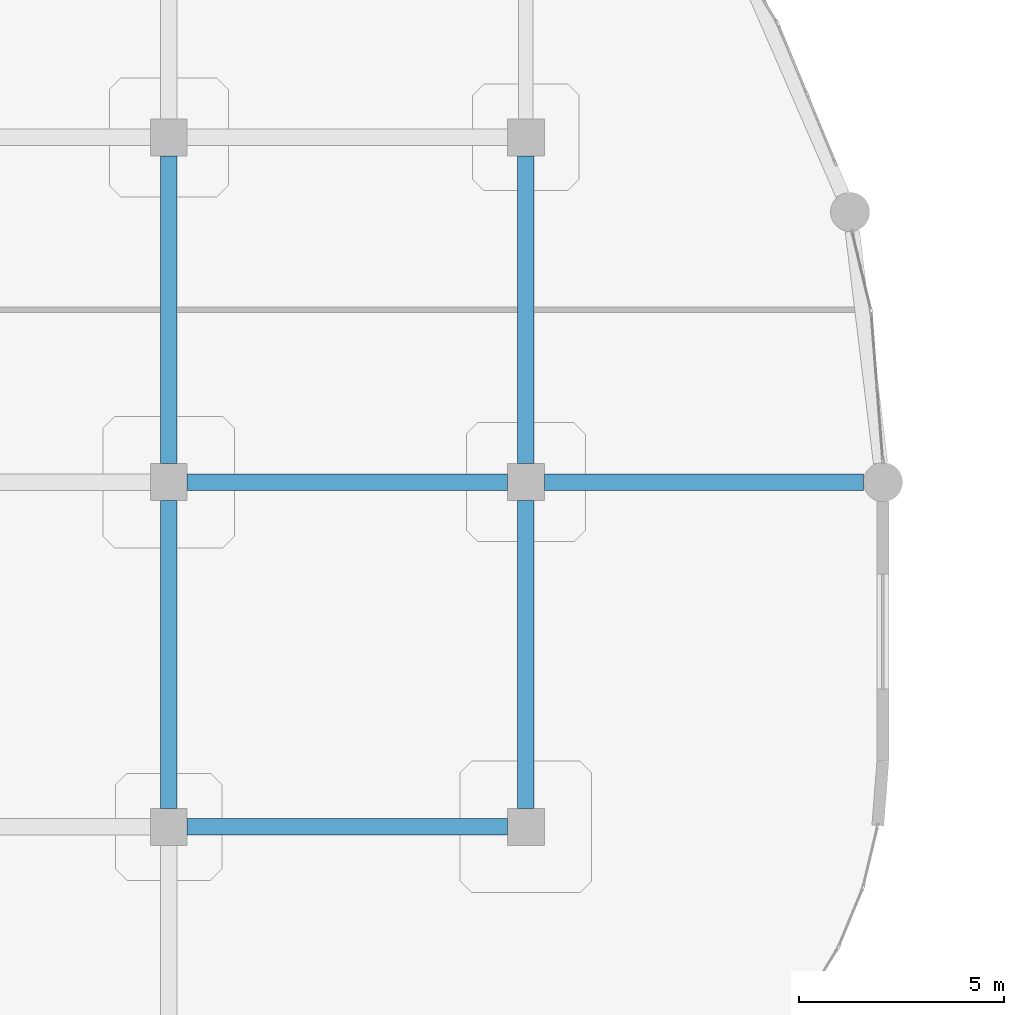
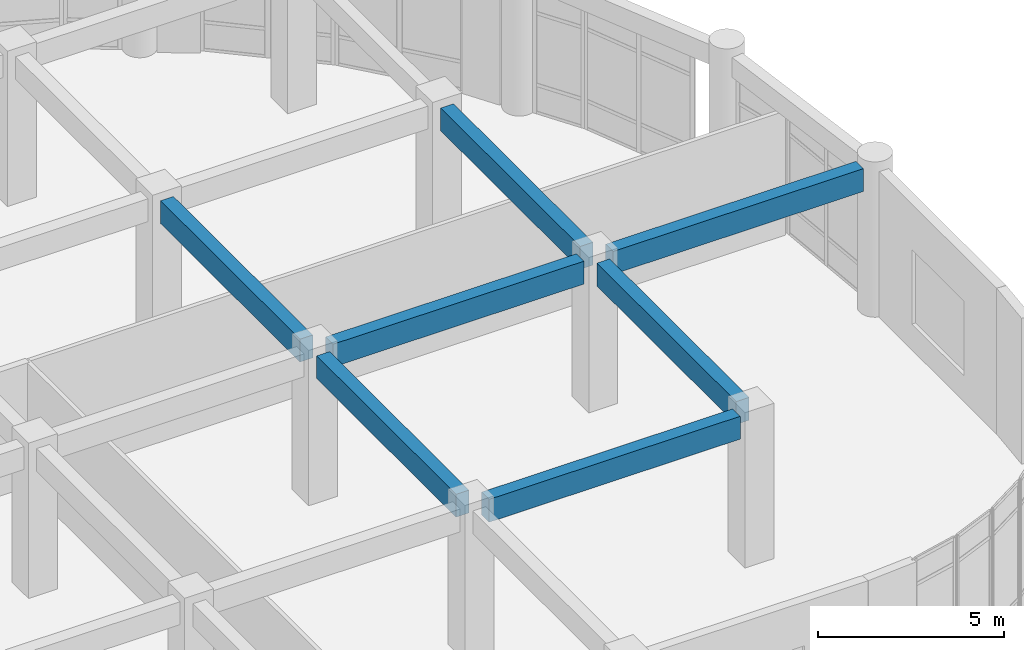
# One storey, part 78 of 120: 7 beams.
"""IFC4 building model written with IfcOpenShell, lengths in metres."""

from ifc_helpers import new_model, si_unit, derived_unit, direction, frame, origin, origin_2d, place, context, subcontext, project, spatial, rectangle, extrude, material, material_profile, profile_set, type_object, element, save


model = new_model("IFC4")

# Units and contexts
model_context = context("Model", 3, precision=1e-05, world=origin(), true_north=direction((0.0, 1.0)))
body_context = subcontext(model_context, "Body", "Model", "MODEL_VIEW")
ifc_project = project(units=[si_unit("LENGTHUNIT", "METRE"), si_unit("AREAUNIT", "SQUARE_METRE"), si_unit("VOLUMEUNIT", "CUBIC_METRE"), si_unit("PLANEANGLEUNIT", "RADIAN"), si_unit("MASSUNIT", "GRAM", prefix="KILO"), derived_unit("THERMALTRANSMITTANCEUNIT", [(si_unit("MASSUNIT", "GRAM", prefix="KILO"), 1), (si_unit("TIMEUNIT", "SECOND"), -3), (si_unit("THERMODYNAMICTEMPERATUREUNIT", "KELVIN"), -1)])], contexts=[model_context])

# Site, building, storey
site_placement = place(None, origin())
site = spatial("IfcSite", under=ifc_project, at=site_placement, CompositionType="ELEMENT")
building_placement = place(site_placement, origin())
building = spatial("IfcBuilding", under=site, at=building_placement, Name="Qinzheling Arcade Emporium", CompositionType="ELEMENT")
storey_placement = place(building_placement, frame((0.0, 0.0, 11.39990234375)))
storey = spatial("IfcBuildingStorey", under=building, at=storey_placement, Name="L03", CompositionType="ELEMENT", Elevation=11.39990234375)

# Beams
ifc_material = material(Name="Concrete C40", Category="concrete")
ifc_material_profile = material_profile(ifc_material, rectangle(XDim=0.39990234375, YDim=0.75, at=origin_2d()), Name="RC 400x750", Category="concrete")
ifc_profile_set = profile_set([ifc_material_profile], Name="Concrete C40")
beam_type = type_object("IfcBeamType", Name="RC Interior Tie Beam 400x750 C40", PredefinedType="BEAM", material=ifc_profile_set)
for number, where, z_axis, x_axis, name in (
    (1, (130.949951171875, 82.199951171875, 4.460205078125), (1.0, 0.0, 0.0), (0.0, 1.0, 0.0), "Beam BM-L03-X-K-16"),
    (2, (130.949951171875, 90.60009765625, 4.460205078125), (1.0, 0.0, 0.0), (0.0, 1.0, 0.0), "Beam BM-L03-X-L-16"),
):
    element("IfcBeam", number, at=place(storey_placement, frame(where, z_axis=z_axis, x_axis=x_axis)), inside=storey, type_object=beam_type, Name=name, PredefinedType="BEAM", context=body_context, shape_type="SweptSolid", body=[
        extrude(rectangle(XDim=0.39990234375, YDim=0.75, at=origin_2d()), origin(), (0.0, 0.0, 1.0), 7.800048828125),
    ])
beam_placement = place(storey_placement, frame((139.64990234375, 90.60009765625, 4.460205078125), z_axis=(1.0, 0.0, 0.0), x_axis=(0.0, 1.0, 0.0)))
element("IfcBeam", 3, at=beam_placement, inside=storey, type_object=beam_type, Name="Beam BM-L03-X-L-17", PredefinedType="BEAM", context=body_context, shape_type="SweptSolid", body=[
    extrude(rectangle(XDim=0.39990234375, YDim=0.75, at=origin_2d()), origin(), (0.0, 0.0, 1.0), 7.775146484375),
])
for number, where, z_axis, x_axis, name in (
    (4, (130.5, 82.64990234375, 4.460205078125), (0.0, 1.0, 0.0), (-1.0, 0.0, 0.0), "Beam BM-L03-Y-16-K"),
    (5, (130.5, 91.050048828125, 4.460205078125), (0.0, 1.0, 0.0), (-1.0, 0.0, 0.0), "Beam BM-L03-Y-16-L"),
    (6, (139.199951171875, 82.64990234375, 4.460205078125), (0.0, 1.0, 0.0), (-1.0, 0.0, 0.0), "Beam BM-L03-Y-17-K"),
    (7, (139.199951171875, 91.050048828125, 4.460205078125), (0.0, 1.0, 0.0), (-1.0, 0.0, 0.0), "Beam BM-L03-Y-17-L"),
):
    element("IfcBeam", number, at=place(storey_placement, frame(where, z_axis=z_axis, x_axis=x_axis)), inside=storey, type_object=beam_type, Name=name, PredefinedType="BEAM", context=body_context, shape_type="SweptSolid", body=[
        extrude(rectangle(XDim=0.39990234375, YDim=0.75, at=origin_2d()), origin(), (0.0, 0.0, 1.0), 7.5),
    ])

save(model, "model.ifc")
